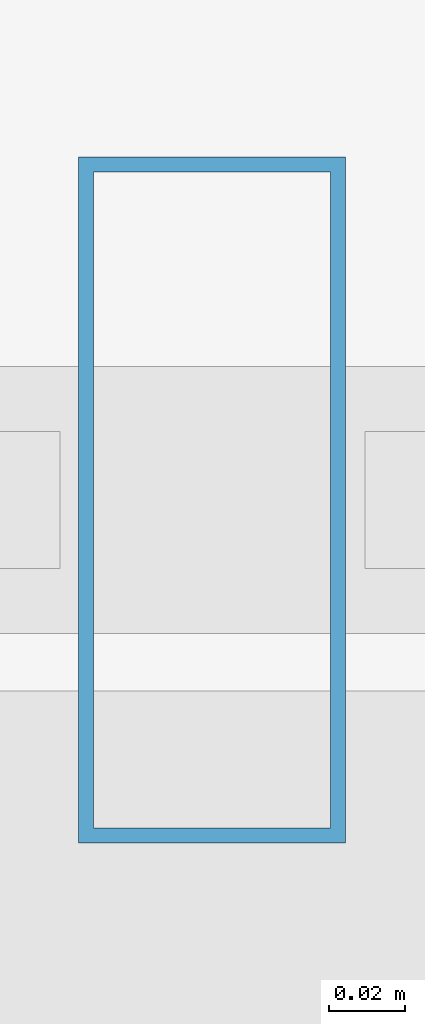
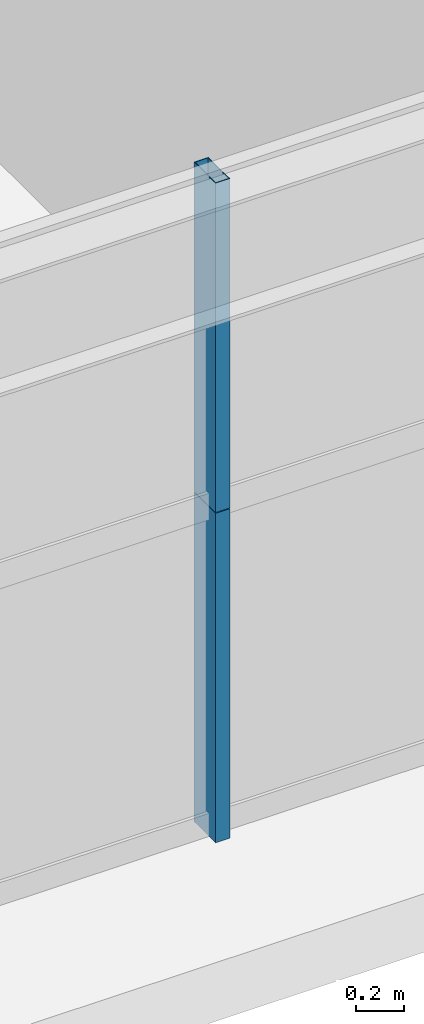
# One storey, part 7 of 45: 2 members, 1 element without a shape of its own.
"""IFC4 building model written with IfcOpenShell, lengths in metres."""

from ifc_helpers import new_model, si_unit, direction, frame, origin, origin_2d, place, context, subcontext, project, spatial, hollow_rectangle, extrude, source, transform, mapped, material, layer, layer_set, material_profile, profile_set, type_object, element, aggregate, save


model = new_model("IFC4")

# Units and contexts
model_context = context("Model", 3, precision=1e-05, world=origin(), true_north=direction((0.0, 1.0)))
body_context = subcontext(model_context, "Body", "Model", "MODEL_VIEW")
ifc_project = project(units=[si_unit("LENGTHUNIT", "METRE"), si_unit("AREAUNIT", "SQUARE_METRE"), si_unit("VOLUMEUNIT", "CUBIC_METRE"), si_unit("PLANEANGLEUNIT", "RADIAN"), si_unit("MASSUNIT", "GRAM", prefix="KILO"), si_unit("THERMODYNAMICTEMPERATUREUNIT", "KELVIN"), si_unit("POWERUNIT", "WATT")], contexts=[model_context])

# Site, building, storey
site_placement = place(None, origin())
site = spatial("IfcSite", under=ifc_project, at=site_placement, CompositionType="ELEMENT")
building_placement = place(site_placement, origin())
building = spatial("IfcBuilding", under=site, at=building_placement, Name="Yuzanri Waterfront Tower", CompositionType="ELEMENT")
storey_placement = place(building_placement, frame((0.0, 0.0, 30.60009765625)))
storey = spatial("IfcBuildingStorey", under=building, at=storey_placement, Name="L07", CompositionType="ELEMENT", Elevation=30.60009765625)

# Curtain wall, members
ifc_material_1 = material(Name="Anodized Architectural Bronze", Category="metal")
ifc_layer = layer(ifc_material_1, 0.159912109375)
ifc_layer_set = layer_set([ifc_layer], Name="Anodized Architectural Bronze")
curtain_wall_type = type_object("IfcCurtainWallType", Name="Anodized Bronze Hotel Lower-Tier Recessed Unitized Curtain Wall 8100", PredefinedType="NOTDEFINED", material=ifc_layer_set)
curtain_wall_placement = place(storey_placement, origin())
curtain_wall = element("IfcCurtainWall", 1, at=curtain_wall_placement, inside=storey, type_object=curtain_wall_type, Name="L07 Curtain Wall CW-L07-SL", PredefinedType="NOTDEFINED")
ifc_material_2 = material(Name="Anodized Architectural Bronze", Category="metal")
ifc_material_profile = material_profile(ifc_material_2, hollow_rectangle(XDim=0.070068359375, YDim=0.179931640625, WallThickness=0.00390625, at=origin_2d()), Name="CWM 70x180")
ifc_profile_set = profile_set([ifc_material_profile], Name="Anodized Architectural Bronze")
member_type = type_object("IfcMemberType", Name="Anodized Bronze Standard Curtain-Wall Mullion 70x180", PredefinedType="MULLION", material=ifc_profile_set)
shared_shape = source(origin(), body_context, "Body", "SweptSolid", [
    extrude(hollow_rectangle(XDim=0.070068359375, YDim=0.179931640625, WallThickness=0.00390625, at=origin_2d()), origin(), (0.0, 0.0, 1.0), 1.68798828125),
])
member_1_placement = place(storey_placement, frame((27.89990234375, 0.85009765625, 0.0), z_axis=(0.0, 0.0, 1.0), x_axis=(1.0, 0.0, 0.0)))
member_1 = element("IfcMember", 2, at=member_1_placement, type_object=member_type, Name="CW-L07-SL Lower Mullion 01", PredefinedType="MULLION", context=body_context, shape_type="MappedRepresentation", body=[
    mapped(shared_shape, transform((0.0, 0.0, 0.0), scale=1.0)),
])
member_2_placement = place(storey_placement, frame((27.89990234375, 0.85009765625, 1.69189453125), z_axis=(0.0, 0.0, 1.0), x_axis=(1.0, 0.0, 0.0)))
member_2 = element("IfcMember", 3, at=member_2_placement, type_object=member_type, Name="CW-L07-SL Upper Mullion 01", PredefinedType="MULLION", context=body_context, shape_type="MappedRepresentation", body=[
    mapped(shared_shape, transform((0.0, 0.0, 0.0), scale=1.0)),
])
aggregate(curtain_wall, [member_1, member_2])

save(model, "model.ifc")
